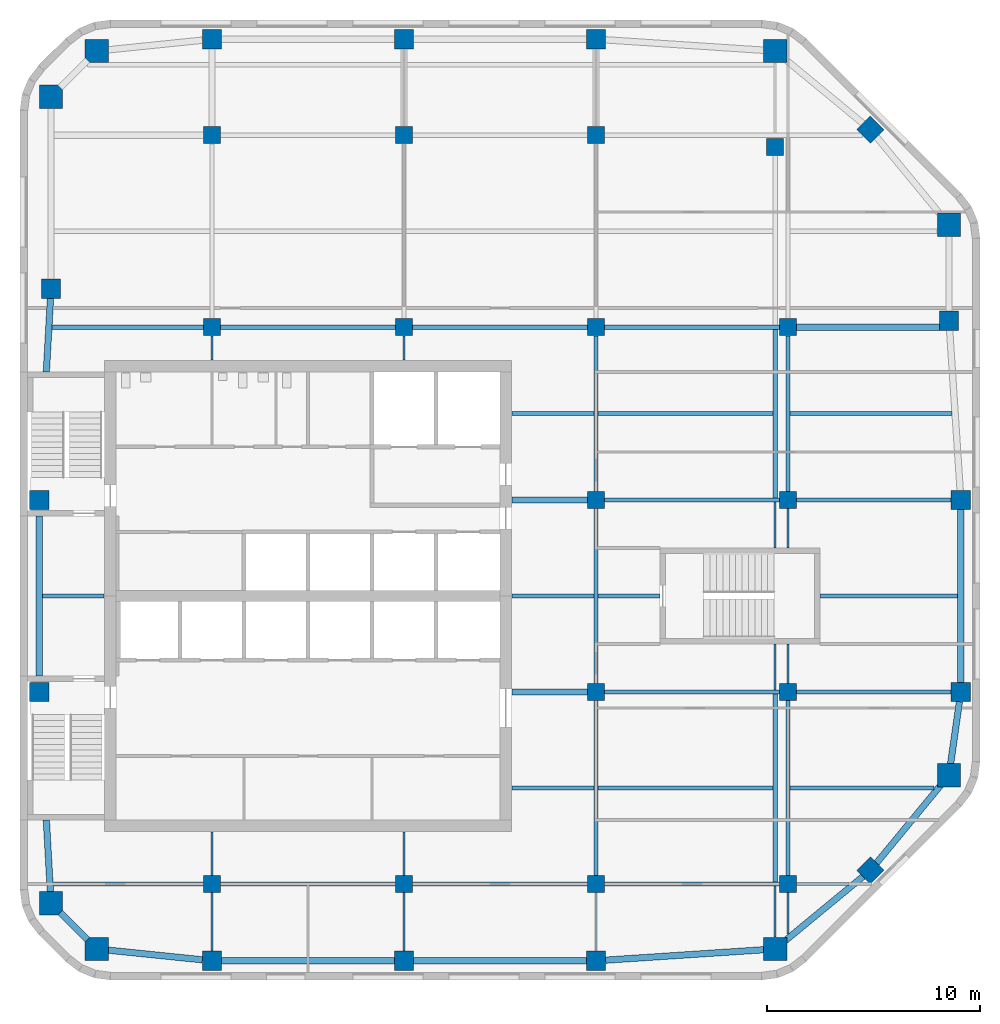
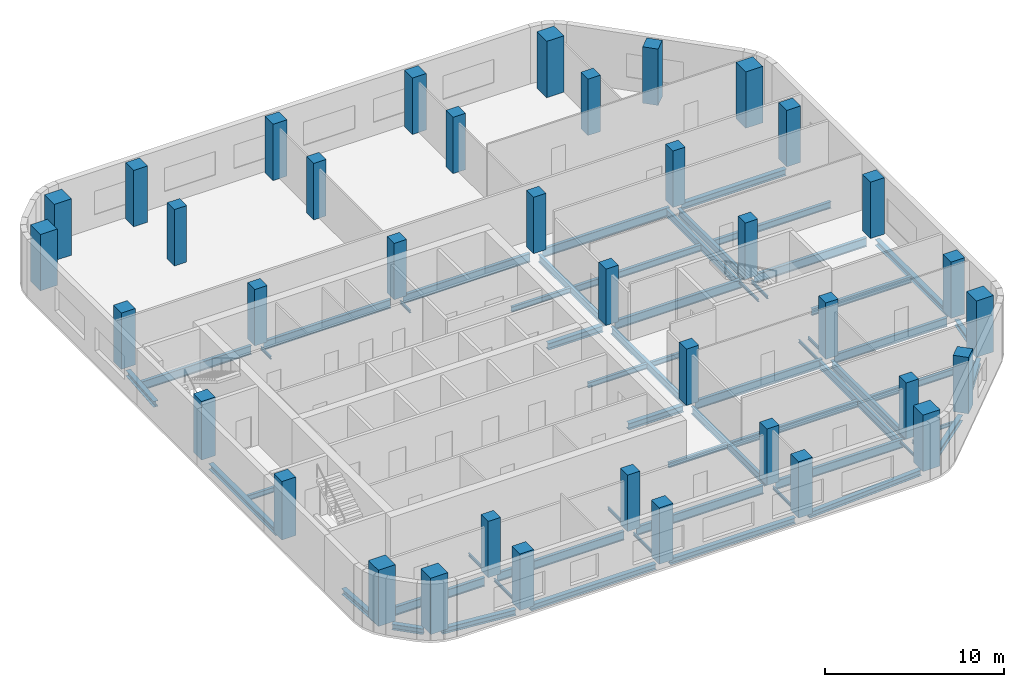
# One storey, part 1 of 8: 58 beams, 38 columns.
"""IFC4 building model written with IfcOpenShell, lengths in metres."""

from ifc_helpers import new_model, si_unit, direction, frame, origin, origin_2d, place, context, subcontext, project, spatial, rectangle, i_section, extrude, material, material_profile, profile_set, type_object, element, save


model = new_model("IFC4")

# Units and contexts
model_context = context("Model", 3, precision=1e-05, world=origin(), true_north=direction((0.0, 1.0)))
body_context = subcontext(model_context, "Body", "Model", "MODEL_VIEW")
ifc_project = project(units=[si_unit("LENGTHUNIT", "METRE"), si_unit("AREAUNIT", "SQUARE_METRE"), si_unit("VOLUMEUNIT", "CUBIC_METRE"), si_unit("PLANEANGLEUNIT", "RADIAN"), si_unit("MASSUNIT", "GRAM", prefix="KILO")], contexts=[model_context])

# Site, building, storey
site_placement = place(None, origin())
site = spatial("IfcSite", under=ifc_project, at=site_placement, CompositionType="ELEMENT")
building_placement = place(site_placement, origin())
building = spatial("IfcBuilding", under=site, at=building_placement, Name="Cinnabar Reach Civic Tower", CompositionType="ELEMENT")
storey_placement = place(building_placement, frame((0.0, 0.0, 226.0)))
storey = spatial("IfcBuildingStorey", under=building, at=storey_placement, Name="L54", CompositionType="ELEMENT", Elevation=226.0)

# Columns
ifc_material_1 = material(Name="Concrete C80", Category="concrete")
ifc_material_profile_1 = material_profile(ifc_material_1, rectangle(XDim=1.1, YDim=1.1, at=origin_2d()), Name="RC1100")
ifc_profile_set_1 = profile_set([ifc_material_profile_1], Name="Concrete C80")
column_type_1 = type_object("IfcColumnType", Name="RC1100 column R 240", PredefinedType="COLUMN", material=ifc_profile_set_1)
for number, where, z_axis, x_axis, name in (
    (1, (3.6019, 14.9531, 0.0), (0.0, 0.0, 1.0), (1.0, 0.0, 0.0), "Column T1-Z4-CC0"),
    (2, (35.3981, 14.9531, 0.0), (0.0, 0.0, 1.0), (1.0, 0.0, 0.0), "Column T1-Z4-CC1"),
    (3, (43.5469, 23.1019, 0.0), (0.0, 0.0, 1.0), (1.0, 0.0, 0.0), "Column T1-Z4-CC2"),
    (4, (43.5469, 48.8981, 0.0), (0.0, 0.0, 1.0), (1.0, 0.0, 0.0), "Column T1-Z4-CC3"),
    (5, (35.3981, 57.0469, 0.0), (0.0, 0.0, 1.0), (1.0, 0.0, 0.0), "Column T1-Z4-CC4"),
    (6, (3.6019, 57.0469, 0.0), (0.0, 0.0, 1.0), (1.0, 0.0, 0.0), "Column T1-Z4-CC5"),
    (7, (1.4531, 54.8981, 0.0), (0.0, 0.0, 1.0), (1.0, 0.0, 0.0), "Column T1-Z4-CC6"),
    (8, (1.4531, 17.1019, 0.0), (0.0, 0.0, 1.0), (1.0, 0.0, 0.0), "Column T1-Z4-CC7"),
):
    element("IfcColumn", number, at=place(storey_placement, frame(where, z_axis=z_axis, x_axis=x_axis)), inside=storey, type_object=column_type_1, Name=name, PredefinedType="COLUMN", context=body_context, shape_type="SweptSolid", body=[
        extrude(rectangle(XDim=1.1, YDim=1.1, at=origin_2d()), origin(), (0.0, 0.0, 1.0), 3.85),
    ])
ifc_material_2 = material(Name="Concrete C60", Category="concrete")
ifc_material_profile_2 = material_profile(ifc_material_2, rectangle(XDim=0.8, YDim=0.8, at=origin_2d()), Name="RC800")
ifc_profile_set_2 = profile_set([ifc_material_profile_2], Name="Concrete C60")
column_type_2 = type_object("IfcColumnType", Name="RC800 column R 240", PredefinedType="COLUMN", material=ifc_profile_set_2)
for number, where, z_axis, x_axis, name in (
    (9, (9.0, 18.0, 0.0), (0.0, 0.0, 1.0), (1.0, 0.0, 0.0), "Column T1-Z4-I9_18"),
    (10, (9.0, 44.1, 0.0), (0.0, 0.0, 1.0), (1.0, 0.0, 0.0), "Column T1-Z4-I9_45"),
    (11, (9.0, 53.1, 0.0), (0.0, 0.0, 1.0), (1.0, 0.0, 0.0), "Column T1-Z4-I9_54"),
    (12, (18.0, 18.0, 0.0), (0.0, 0.0, 1.0), (1.0, 0.0, 0.0), "Column T1-Z4-I18_18"),
    (13, (18.0, 44.1, 0.0), (0.0, 0.0, 1.0), (1.0, 0.0, 0.0), "Column T1-Z4-I18_45"),
    (14, (18.0, 53.1, 0.0), (0.0, 0.0, 1.0), (1.0, 0.0, 0.0), "Column T1-Z4-I18_54"),
    (15, (27.0, 18.0, 0.0), (0.0, 0.0, 1.0), (1.0, 0.0, 0.0), "Column T1-Z4-I27_18"),
    (16, (27.0, 27.0, 0.0), (0.0, 0.0, 1.0), (1.0, 0.0, 0.0), "Column T1-Z4-I27_27"),
    (17, (27.0, 36.0, 0.0), (0.0, 0.0, 1.0), (1.0, 0.0, 0.0), "Column T1-Z4-I27_36"),
    (18, (27.0, 44.1, 0.0), (0.0, 0.0, 1.0), (1.0, 0.0, 0.0), "Column T1-Z4-I27_45"),
    (19, (27.0, 53.1, 0.0), (0.0, 0.0, 1.0), (1.0, 0.0, 0.0), "Column T1-Z4-I27_54"),
    (20, (36.0, 18.0, 0.0), (0.0, 0.0, 1.0), (1.0, 0.0, 0.0), "Column T1-Z4-I36_18"),
    (21, (36.0, 27.0, 0.0), (0.0, 0.0, 1.0), (1.0, 0.0, 0.0), "Column T1-Z4-I36_27"),
    (22, (36.0, 36.0, 0.0), (0.0, 0.0, 1.0), (1.0, 0.0, 0.0), "Column T1-Z4-I36_36"),
    (23, (36.0, 44.1, 0.0), (0.0, 0.0, 1.0), (1.0, 0.0, 0.0), "Column T1-Z4-I36_45"),
    (24, (35.3981, 52.5469, 0.0), (0.0, 0.0, 1.0), (1.0, 0.0, 0.0), "Column T1-Z4-I36_54"),
):
    element("IfcColumn", number, at=place(storey_placement, frame(where, z_axis=z_axis, x_axis=x_axis)), inside=storey, type_object=column_type_2, Name=name, PredefinedType="COLUMN", context=body_context, shape_type="SweptSolid", body=[
        extrude(rectangle(XDim=0.8, YDim=0.8, at=origin_2d()), origin(), (0.0, 0.0, 1.0), 3.85),
    ])
ifc_material_3 = material(Name="Concrete C70", Category="concrete")
ifc_material_profile_3 = material_profile(ifc_material_3, rectangle(XDim=0.9, YDim=0.9, at=origin_2d()), Name="RC900")
ifc_profile_set_3 = profile_set([ifc_material_profile_3], Name="Concrete C70")
column_type_3 = type_object("IfcColumnType", Name="RC900 column R 240", PredefinedType="COLUMN", material=ifc_profile_set_3)
for number, where, z_axis, x_axis, name in (
    (25, (9.0, 14.4, 0.0), (0.0, 0.0, 1.0), (1.0, 0.0, 0.0), "Column T1-Z4-F0-1"),
    (26, (18.0, 14.4, 0.0), (0.0, 0.0, 1.0), (1.0, 0.0, 0.0), "Column T1-Z4-F0-2"),
    (27, (27.0, 14.4, 0.0), (0.0, 0.0, 1.0), (1.0, 0.0, 0.0), "Column T1-Z4-F0-3"),
    (28, (39.8636, 18.6364, 0.0), (0.0, 0.0, 1.0), (0.707106781187, 0.707106781187, 0.0), "Column T1-Z4-F1-M"),
    (29, (44.1, 27.0, 0.0), (0.0, 0.0, 1.0), (1.0, 0.0, 0.0), "Column T1-Z4-F2-3"),
    (30, (44.1, 36.0, 0.0), (0.0, 0.0, 1.0), (1.0, 0.0, 0.0), "Column T1-Z4-F2-4"),
    (31, (43.5469, 44.3981, 0.0), (0.0, 0.0, 1.0), (1.0, 0.0, 0.0), "Column T1-Z4-F2-5"),
    (32, (39.8636, 53.3636, 0.0), (0.0, 0.0, 1.0), (0.707106781187, 0.707106781187, 0.0), "Column T1-Z4-F3-M"),
    (33, (9.0, 57.6, 0.0), (0.0, 0.0, 1.0), (1.0, 0.0, 0.0), "Column T1-Z4-F4-1"),
    (34, (18.0, 57.6, 0.0), (0.0, 0.0, 1.0), (1.0, 0.0, 0.0), "Column T1-Z4-F4-2"),
    (35, (27.0, 57.6, 0.0), (0.0, 0.0, 1.0), (1.0, 0.0, 0.0), "Column T1-Z4-F4-3"),
):
    element("IfcColumn", number, at=place(storey_placement, frame(where, z_axis=z_axis, x_axis=x_axis)), inside=storey, type_object=column_type_3, Name=name, PredefinedType="COLUMN", context=body_context, shape_type="SweptSolid", body=[
        extrude(rectangle(XDim=0.9, YDim=0.9, at=origin_2d()), origin(), (0.0, 0.0, 1.0), 3.85),
    ])
for number, where, z_axis, x_axis, name in (
    (36, (0.9, 27.0, 0.0), (0.0, 0.0, 1.0), (1.0, 0.0, 0.0), "Column T1-Z4-F6-3"),
    (37, (0.9, 36.0, 0.0), (0.0, 0.0, 1.0), (1.0, 0.0, 0.0), "Column T1-Z4-F6-4"),
):
    element("IfcColumn", number, at=place(storey_placement, frame(where, z_axis=z_axis, x_axis=x_axis)), inside=storey, type_object=column_type_3, Name=name, PredefinedType="COLUMN", context=body_context, shape_type="SweptSolid", body=[
        extrude(rectangle(XDim=0.9, YDim=0.9, at=origin_2d()), origin(), (0.0, 0.0, 1.0), 4.0),
    ])
column_placement = place(storey_placement, frame((1.4531, 45.8981, 0.0), z_axis=(0.0, 0.0, 1.0), x_axis=(1.0, 0.0, 0.0)))
element("IfcColumn", 38, at=column_placement, inside=storey, type_object=column_type_3, Name="Column T1-Z4-F6-5", PredefinedType="COLUMN", context=body_context, shape_type="SweptSolid", body=[
    extrude(rectangle(XDim=0.9, YDim=0.9, at=origin_2d()), origin(), (0.0, 0.0, 1.0), 3.85),
])

# Beams
ifc_material_4 = material(Name="Steel Q355B", Category="steel")
ifc_material_profile_4 = material_profile(ifc_material_4, i_section(OverallWidth=0.3, OverallDepth=0.39, WebThickness=0.01, FlangeThickness=0.016, FilletRadius=0.013, at=origin_2d()), Name="HM390x300x10x16")
ifc_profile_set_4 = profile_set([ifc_material_profile_4], Name="Steel Q355B")
beam_type_1 = type_object("IfcBeamType", Name="HM390x300x10x16 beam R 180", PredefinedType="BEAM", material=ifc_profile_set_4)
beam_1_placement = place(storey_placement, frame((4.0339, 14.9088, -0.345), z_axis=(0.994792272495, -0.101923179821, 0.0), x_axis=(0.101923179821, 0.994792272495, 0.0)))
element("IfcBeam", 39, at=beam_1_placement, inside=storey, type_object=beam_type_1, Name="Edge beam T1 L54 1", PredefinedType="BEAM", context=body_context, shape_type="SweptSolid", body=[
    extrude(i_section(OverallWidth=0.3, OverallDepth=0.39, WebThickness=0.01, FlangeThickness=0.016, FilletRadius=0.013, at=origin_2d()), origin(), (0.0, 0.0, 1.0), 4.5377),
])
for number, where, z_axis, x_axis, name in (
    (40, (9.452, 14.4, -0.345), (1.0, 0.0, 0.0), (0.0, 1.0, 0.0), "Edge beam T1 L54 2"),
    (41, (18.452, 14.4, -0.345), (1.0, 0.0, 0.0), (0.0, 1.0, 0.0), "Edge beam T1 L54 3"),
):
    element("IfcBeam", number, at=place(storey_placement, frame(where, z_axis=z_axis, x_axis=x_axis)), inside=storey, type_object=beam_type_1, Name=name, PredefinedType="BEAM", context=body_context, shape_type="SweptSolid", body=[
        extrude(i_section(OverallWidth=0.3, OverallDepth=0.39, WebThickness=0.01, FlangeThickness=0.016, FilletRadius=0.013, at=origin_2d()), origin(), (0.0, 0.0, 1.0), 8.096),
    ])
beam_2_placement = place(storey_placement, frame((27.452, 14.4298, -0.345), z_axis=(0.99783894477, 0.065707231721, 0.0), x_axis=(-0.065707231721, 0.99783894477, 0.0)))
element("IfcBeam", 42, at=beam_2_placement, inside=storey, type_object=beam_type_1, Name="Edge beam T1 L54 4", PredefinedType="BEAM", context=body_context, shape_type="SweptSolid", body=[
    extrude(i_section(OverallWidth=0.3, OverallDepth=0.39, WebThickness=0.01, FlangeThickness=0.016, FilletRadius=0.013, at=origin_2d()), origin(), (0.0, 0.0, 1.0), 7.5304),
])
for number, where, z_axis, x_axis, name in (
    (43, (35.8301, 15.3094, -0.345), (0.771434448755, 0.63630880182, 0.0), (-0.63630880182, 0.771434448755, 0.0), "Edge beam T1 L54 5"),
    (44, (40.1142, 18.9402, -0.345), (0.63630880182, 0.771434448755, 0.0), (-0.771434448755, 0.63630880182, 0.0), "Edge beam T1 L54 6"),
):
    element("IfcBeam", number, at=place(storey_placement, frame(where, z_axis=z_axis, x_axis=x_axis)), inside=storey, type_object=beam_type_1, Name=name, PredefinedType="BEAM", context=body_context, shape_type="SweptSolid", body=[
        extrude(i_section(OverallWidth=0.3, OverallDepth=0.39, WebThickness=0.01, FlangeThickness=0.016, FilletRadius=0.013, at=origin_2d()), origin(), (0.0, 0.0, 1.0), 4.8348),
    ])
beam_3_placement = place(storey_placement, frame((43.6082, 23.5339, -0.345), z_axis=(0.140492342965, 0.990081765092, 0.0), x_axis=(-0.990081765092, 0.140492342965, 0.0)))
element("IfcBeam", 45, at=beam_3_placement, inside=storey, type_object=beam_type_1, Name="Edge beam T1 L54 7", PredefinedType="BEAM", context=body_context, shape_type="SweptSolid", body=[
    extrude(i_section(OverallWidth=0.3, OverallDepth=0.39, WebThickness=0.01, FlangeThickness=0.016, FilletRadius=0.013, at=origin_2d()), origin(), (0.0, 0.0, 1.0), 3.0443),
])
beam_4_placement = place(storey_placement, frame((44.1, 27.452, -0.345), z_axis=(0.0, 1.0, 0.0), x_axis=(-1.0, 0.0, 0.0)))
element("IfcBeam", 46, at=beam_4_placement, inside=storey, type_object=beam_type_1, Name="Edge beam T1 L54 8", PredefinedType="BEAM", context=body_context, shape_type="SweptSolid", body=[
    extrude(i_section(OverallWidth=0.3, OverallDepth=0.39, WebThickness=0.01, FlangeThickness=0.016, FilletRadius=0.013, at=origin_2d()), origin(), (0.0, 0.0, 1.0), 8.096),
])
beam_5_placement = place(storey_placement, frame((1.4278, 45.4461, -0.345), z_axis=(-0.0557766862, -0.998443268932, 0.0), x_axis=(0.998443268932, -0.0557766862, 0.0)))
element("IfcBeam", 47, at=beam_5_placement, inside=storey, type_object=beam_type_1, Name="Edge beam T1 L54 19", PredefinedType="BEAM", context=body_context, shape_type="SweptSolid", body=[
    extrude(i_section(OverallWidth=0.3, OverallDepth=0.39, WebThickness=0.01, FlangeThickness=0.016, FilletRadius=0.013, at=origin_2d()), origin(), (0.0, 0.0, 1.0), 3.4495),
])
beam_6_placement = place(storey_placement, frame((0.9, 35.248, -0.345), z_axis=(0.0, -1.0, 0.0), x_axis=(1.0, 0.0, 0.0)))
element("IfcBeam", 48, at=beam_6_placement, inside=storey, type_object=beam_type_1, Name="Edge beam T1 L54 20", PredefinedType="BEAM", context=body_context, shape_type="SweptSolid", body=[
    extrude(i_section(OverallWidth=0.3, OverallDepth=0.39, WebThickness=0.01, FlangeThickness=0.016, FilletRadius=0.013, at=origin_2d()), origin(), (0.0, 0.0, 1.0), 7.496),
])
beam_7_placement = place(storey_placement, frame((1.2354, 20.998, -0.345), z_axis=(0.05580045603, -0.998441940779, 0.0), x_axis=(0.998441940779, 0.05580045603, 0.0)))
element("IfcBeam", 49, at=beam_7_placement, inside=storey, type_object=beam_type_1, Name="Edge beam T1 L54 21", PredefinedType="BEAM", context=body_context, shape_type="SweptSolid", body=[
    extrude(i_section(OverallWidth=0.3, OverallDepth=0.39, WebThickness=0.01, FlangeThickness=0.016, FilletRadius=0.013, at=origin_2d()), origin(), (0.0, 0.0, 1.0), 3.4695),
])
beam_8_placement = place(storey_placement, frame((1.8851, 16.6699, -0.345), z_axis=(0.707106781187, -0.707106781187, 0.0), x_axis=(0.707106781187, 0.707106781187, 0.0)))
element("IfcBeam", 50, at=beam_8_placement, inside=storey, type_object=beam_type_1, Name="Edge beam T1 L54 22", PredefinedType="BEAM", context=body_context, shape_type="SweptSolid", body=[
    extrude(i_section(OverallWidth=0.3, OverallDepth=0.39, WebThickness=0.01, FlangeThickness=0.016, FilletRadius=0.013, at=origin_2d()), origin(), (0.0, 0.0, 1.0), 1.817),
])
ifc_material_profile_5 = material_profile(ifc_material_4, i_section(OverallWidth=0.3, OverallDepth=0.44, WebThickness=0.011, FlangeThickness=0.018, FilletRadius=0.016, at=origin_2d()), Name="HM440x300x11x18")
ifc_profile_set_5 = profile_set([ifc_material_profile_5], Name="Steel Q355B")
beam_type_2 = type_object("IfcBeamType", Name="HM440x300x11x18 beam R 180", PredefinedType="BEAM", material=ifc_profile_set_5)
for number, where, z_axis, x_axis, name in (
    (51, (23.052, 27.0, -0.37), (1.0, 0.0, 0.0), (0.0, 1.0, 0.0), "Girder T1 L54 6"),
    (52, (23.052, 36.0, -0.37), (1.0, 0.0, 0.0), (0.0, 1.0, 0.0), "Girder T1 L54 9"),
):
    element("IfcBeam", number, at=place(storey_placement, frame(where, z_axis=z_axis, x_axis=x_axis)), inside=storey, type_object=beam_type_2, Name=name, PredefinedType="BEAM", context=body_context, shape_type="SweptSolid", body=[
        extrude(i_section(OverallWidth=0.3, OverallDepth=0.44, WebThickness=0.011, FlangeThickness=0.018, FilletRadius=0.016, at=origin_2d()), origin(), (0.0, 0.0, 1.0), 3.546),
    ])
beam_9_placement = place(storey_placement, frame((36.402, 44.1, -0.37), z_axis=(1.0, 0.0, 0.0), x_axis=(0.0, 1.0, 0.0)))
element("IfcBeam", 53, at=beam_9_placement, inside=storey, type_object=beam_type_2, Name="Girder T1 L54 16", PredefinedType="BEAM", context=body_context, shape_type="SweptSolid", body=[
    extrude(i_section(OverallWidth=0.3, OverallDepth=0.44, WebThickness=0.011, FlangeThickness=0.018, FilletRadius=0.016, at=origin_2d()), origin(), (0.0, 0.0, 1.0), 6.6929),
])
ifc_material_profile_6 = material_profile(ifc_material_4, i_section(OverallWidth=0.099, OverallDepth=0.198, WebThickness=0.0045, FlangeThickness=0.007, FilletRadius=0.013, at=origin_2d()), Name="HN200x100x5.5x8")
ifc_profile_set_6 = profile_set([ifc_material_profile_6], Name="Steel Q355B")
beam_type_3 = type_object("IfcBeamType", Name="HN200x100x5.5x8 beam R 180", PredefinedType="BEAM", material=ifc_profile_set_6)
beam_10_placement = place(storey_placement, frame((9.0, 14.852, -0.249), z_axis=(0.0, 1.0, 0.0), x_axis=(-1.0, 0.0, 0.0)))
element("IfcBeam", 54, at=beam_10_placement, inside=storey, type_object=beam_type_3, Name="Girder T1 L54 1", PredefinedType="BEAM", context=body_context, shape_type="SweptSolid", body=[
    extrude(i_section(OverallWidth=0.099, OverallDepth=0.198, WebThickness=0.0045, FlangeThickness=0.007, FilletRadius=0.013, at=origin_2d()), origin(), (0.0, 0.0, 1.0), 2.746),
])
beam_11_placement = place(storey_placement, frame((9.0, 18.402, -0.249), z_axis=(0.0, 1.0, 0.0), x_axis=(-1.0, 0.0, 0.0)))
element("IfcBeam", 55, at=beam_11_placement, inside=storey, type_object=beam_type_3, Name="Girder T1 L54 2", PredefinedType="BEAM", context=body_context, shape_type="SweptSolid", body=[
    extrude(i_section(OverallWidth=0.099, OverallDepth=0.198, WebThickness=0.0045, FlangeThickness=0.007, FilletRadius=0.013, at=origin_2d()), origin(), (0.0, 0.0, 1.0), 2.046),
])
beam_12_placement = place(storey_placement, frame((9.0, 42.552, -0.249), z_axis=(0.0, 1.0, 0.0), x_axis=(-1.0, 0.0, 0.0)))
element("IfcBeam", 56, at=beam_12_placement, inside=storey, type_object=beam_type_3, Name="Girder T1 L54 3", PredefinedType="BEAM", context=body_context, shape_type="SweptSolid", body=[
    extrude(i_section(OverallWidth=0.099, OverallDepth=0.198, WebThickness=0.0045, FlangeThickness=0.007, FilletRadius=0.013, at=origin_2d()), origin(), (0.0, 0.0, 1.0), 1.146),
])
beam_13_placement = place(storey_placement, frame((18.0, 14.852, -0.249), z_axis=(0.0, 1.0, 0.0), x_axis=(-1.0, 0.0, 0.0)))
element("IfcBeam", 57, at=beam_13_placement, inside=storey, type_object=beam_type_3, Name="Girder T1 L54 6", PredefinedType="BEAM", context=body_context, shape_type="SweptSolid", body=[
    extrude(i_section(OverallWidth=0.099, OverallDepth=0.198, WebThickness=0.0045, FlangeThickness=0.007, FilletRadius=0.013, at=origin_2d()), origin(), (0.0, 0.0, 1.0), 2.746),
])
beam_14_placement = place(storey_placement, frame((18.0, 18.402, -0.249), z_axis=(0.0, 1.0, 0.0), x_axis=(-1.0, 0.0, 0.0)))
element("IfcBeam", 58, at=beam_14_placement, inside=storey, type_object=beam_type_3, Name="Girder T1 L54 7", PredefinedType="BEAM", context=body_context, shape_type="SweptSolid", body=[
    extrude(i_section(OverallWidth=0.099, OverallDepth=0.198, WebThickness=0.0045, FlangeThickness=0.007, FilletRadius=0.013, at=origin_2d()), origin(), (0.0, 0.0, 1.0), 2.046),
])
beam_15_placement = place(storey_placement, frame((18.0, 42.552, -0.249), z_axis=(0.0, 1.0, 0.0), x_axis=(-1.0, 0.0, 0.0)))
element("IfcBeam", 59, at=beam_15_placement, inside=storey, type_object=beam_type_3, Name="Girder T1 L54 8", PredefinedType="BEAM", context=body_context, shape_type="SweptSolid", body=[
    extrude(i_section(OverallWidth=0.099, OverallDepth=0.198, WebThickness=0.0045, FlangeThickness=0.007, FilletRadius=0.013, at=origin_2d()), origin(), (0.0, 0.0, 1.0), 1.146),
])
beam_16_placement = place(storey_placement, frame((27.0, 14.852, -0.249), z_axis=(0.0, 1.0, 0.0), x_axis=(-1.0, 0.0, 0.0)))
element("IfcBeam", 60, at=beam_16_placement, inside=storey, type_object=beam_type_3, Name="Girder T1 L54 11", PredefinedType="BEAM", context=body_context, shape_type="SweptSolid", body=[
    extrude(i_section(OverallWidth=0.099, OverallDepth=0.198, WebThickness=0.0045, FlangeThickness=0.007, FilletRadius=0.013, at=origin_2d()), origin(), (0.0, 0.0, 1.0), 2.746),
])
beam_17_placement = place(storey_placement, frame((35.3981, 15.5051, -0.249), z_axis=(0.0, 1.0, 0.0), x_axis=(-1.0, 0.0, 0.0)))
element("IfcBeam", 61, at=beam_17_placement, inside=storey, type_object=beam_type_3, Name="Girder T1 L54 17", PredefinedType="BEAM", context=body_context, shape_type="SweptSolid", body=[
    extrude(i_section(OverallWidth=0.099, OverallDepth=0.198, WebThickness=0.0045, FlangeThickness=0.007, FilletRadius=0.013, at=origin_2d()), origin(), (0.0, 0.0, 1.0), 2.3934),
])
for number, where, z_axis, x_axis, name in (
    (62, (35.3981, 27.1015, -0.249), (0.0, 1.0, 0.0), (-1.0, 0.0, 0.0), "Girder T1 L54 19"),
    (63, (35.3981, 33.752, -0.249), (0.0, 1.0, 0.0), (-1.0, 0.0, 0.0), "Girder T1 L54 20"),
):
    element("IfcBeam", number, at=place(storey_placement, frame(where, z_axis=z_axis, x_axis=x_axis)), inside=storey, type_object=beam_type_3, Name=name, PredefinedType="BEAM", context=body_context, shape_type="SweptSolid", body=[
        extrude(i_section(OverallWidth=0.099, OverallDepth=0.198, WebThickness=0.0045, FlangeThickness=0.007, FilletRadius=0.013, at=origin_2d()), origin(), (0.0, 0.0, 1.0), 2.1465),
    ])
beam_18_placement = place(storey_placement, frame((36.0, 15.6466, -0.249), z_axis=(0.0, 1.0, 0.0), x_axis=(-1.0, 0.0, 0.0)))
element("IfcBeam", 64, at=beam_18_placement, inside=storey, type_object=beam_type_3, Name="Girder T1 L54 24", PredefinedType="BEAM", context=body_context, shape_type="SweptSolid", body=[
    extrude(i_section(OverallWidth=0.099, OverallDepth=0.198, WebThickness=0.0045, FlangeThickness=0.007, FilletRadius=0.013, at=origin_2d()), origin(), (0.0, 0.0, 1.0), 1.9514),
])
for number, where, z_axis, x_axis, name in (
    (65, (36.0, 27.402, -0.249), (0.0, 1.0, 0.0), (-1.0, 0.0, 0.0), "Girder T1 L54 26"),
    (66, (36.0, 33.752, -0.249), (0.0, 1.0, 0.0), (-1.0, 0.0, 0.0), "Girder T1 L54 27"),
):
    element("IfcBeam", number, at=place(storey_placement, frame(where, z_axis=z_axis, x_axis=x_axis)), inside=storey, type_object=beam_type_3, Name=name, PredefinedType="BEAM", context=body_context, shape_type="SweptSolid", body=[
        extrude(i_section(OverallWidth=0.099, OverallDepth=0.198, WebThickness=0.0045, FlangeThickness=0.007, FilletRadius=0.013, at=origin_2d()), origin(), (0.0, 0.0, 1.0), 1.846),
    ])
ifc_material_profile_7 = material_profile(ifc_material_4, i_section(OverallWidth=0.124, OverallDepth=0.248, WebThickness=0.005, FlangeThickness=0.008, FilletRadius=0.013, at=origin_2d()), Name="HN250x125x6x9")
ifc_profile_set_7 = profile_set([ifc_material_profile_7], Name="Steel Q355B")
beam_type_4 = type_object("IfcBeamType", Name="HN250x125x6x9 beam R 180", PredefinedType="BEAM", material=ifc_profile_set_7)
beam_19_placement = place(storey_placement, frame((36.402, 18.0, -0.274), z_axis=(1.0, 0.0, 0.0), x_axis=(0.0, 1.0, 0.0)))
element("IfcBeam", 67, at=beam_19_placement, inside=storey, type_object=beam_type_4, Name="Girder T1 L54 5", PredefinedType="BEAM", context=body_context, shape_type="SweptSolid", body=[
    extrude(i_section(OverallWidth=0.124, OverallDepth=0.248, WebThickness=0.005, FlangeThickness=0.008, FilletRadius=0.013, at=origin_2d()), origin(), (0.0, 0.0, 1.0), 2.4512),
])
ifc_material_profile_8 = material_profile(ifc_material_4, i_section(OverallWidth=0.174, OverallDepth=0.346, WebThickness=0.006, FlangeThickness=0.009, FilletRadius=0.013, at=origin_2d()), Name="HN346x174x6x9")
ifc_profile_set_8 = profile_set([ifc_material_profile_8], Name="Steel Q355B")
beam_type_5 = type_object("IfcBeamType", Name="HN346x174x6x9 beam R 180", PredefinedType="BEAM", material=ifc_profile_set_8)
beam_20_placement = place(storey_placement, frame((23.052, 22.5, -0.323), z_axis=(1.0, 0.0, 0.0), x_axis=(0.0, 1.0, 0.0)))
element("IfcBeam", 68, at=beam_20_placement, inside=storey, type_object=beam_type_5, Name="Secondary beam T1 L54 1", PredefinedType="BEAM", context=body_context, shape_type="SweptSolid", body=[
    extrude(i_section(OverallWidth=0.174, OverallDepth=0.346, WebThickness=0.006, FlangeThickness=0.009, FilletRadius=0.013, at=origin_2d()), origin(), (0.0, 0.0, 1.0), 3.846),
])
beam_21_placement = place(storey_placement, frame((1.052, 31.5, -0.323), z_axis=(1.0, 0.0, 0.0), x_axis=(0.0, 1.0, 0.0)))
element("IfcBeam", 69, at=beam_21_placement, inside=storey, type_object=beam_type_5, Name="Secondary beam T1 L54 4", PredefinedType="BEAM", context=body_context, shape_type="SweptSolid", body=[
    extrude(i_section(OverallWidth=0.174, OverallDepth=0.346, WebThickness=0.006, FlangeThickness=0.009, FilletRadius=0.013, at=origin_2d()), origin(), (0.0, 0.0, 1.0), 2.896),
])
beam_22_placement = place(storey_placement, frame((23.052, 31.5, -0.323), z_axis=(1.0, 0.0, 0.0), x_axis=(0.0, 1.0, 0.0)))
element("IfcBeam", 70, at=beam_22_placement, inside=storey, type_object=beam_type_5, Name="Secondary beam T1 L54 5", PredefinedType="BEAM", context=body_context, shape_type="SweptSolid", body=[
    extrude(i_section(OverallWidth=0.174, OverallDepth=0.346, WebThickness=0.006, FlangeThickness=0.009, FilletRadius=0.013, at=origin_2d()), origin(), (0.0, 0.0, 1.0), 3.846),
])
beam_23_placement = place(storey_placement, frame((27.102, 31.5, -0.323), z_axis=(1.0, 0.0, 0.0), x_axis=(0.0, 1.0, 0.0)))
element("IfcBeam", 71, at=beam_23_placement, inside=storey, type_object=beam_type_5, Name="Secondary beam T1 L54 6", PredefinedType="BEAM", context=body_context, shape_type="SweptSolid", body=[
    extrude(i_section(OverallWidth=0.174, OverallDepth=0.346, WebThickness=0.006, FlangeThickness=0.009, FilletRadius=0.013, at=origin_2d()), origin(), (0.0, 0.0, 1.0), 2.896),
])
beam_24_placement = place(storey_placement, frame((23.052, 40.05, -0.323), z_axis=(1.0, 0.0, 0.0), x_axis=(0.0, 1.0, 0.0)))
element("IfcBeam", 72, at=beam_24_placement, inside=storey, type_object=beam_type_5, Name="Secondary beam T1 L54 8", PredefinedType="BEAM", context=body_context, shape_type="SweptSolid", body=[
    extrude(i_section(OverallWidth=0.174, OverallDepth=0.346, WebThickness=0.006, FlangeThickness=0.009, FilletRadius=0.013, at=origin_2d()), origin(), (0.0, 0.0, 1.0), 3.846),
])
ifc_material_profile_9 = material_profile(ifc_material_4, i_section(OverallWidth=0.199, OverallDepth=0.446, WebThickness=0.008, FlangeThickness=0.012, FilletRadius=0.016, at=origin_2d()), Name="HN446x199x8x12")
ifc_profile_set_9 = profile_set([ifc_material_profile_9], Name="Steel Q355B")
beam_type_6 = type_object("IfcBeamType", Name="HN446x199x8x12 beam R 180", PredefinedType="BEAM", material=ifc_profile_set_9)
beam_25_placement = place(storey_placement, frame((27.102, 22.5, -0.373), z_axis=(1.0, 0.0, 0.0), x_axis=(0.0, 1.0, 0.0)))
element("IfcBeam", 73, at=beam_25_placement, inside=storey, type_object=beam_type_6, Name="Secondary beam T1 L54 2", PredefinedType="BEAM", context=body_context, shape_type="SweptSolid", body=[
    extrude(i_section(OverallWidth=0.199, OverallDepth=0.446, WebThickness=0.008, FlangeThickness=0.012, FilletRadius=0.016, at=origin_2d()), origin(), (0.0, 0.0, 1.0), 8.1941),
])
beam_26_placement = place(storey_placement, frame((36.102, 22.5, -0.373), z_axis=(1.0, 0.0, 0.0), x_axis=(0.0, 1.0, 0.0)))
element("IfcBeam", 74, at=beam_26_placement, inside=storey, type_object=beam_type_6, Name="Secondary beam T1 L54 3", PredefinedType="BEAM", context=body_context, shape_type="SweptSolid", body=[
    extrude(i_section(OverallWidth=0.199, OverallDepth=0.446, WebThickness=0.008, FlangeThickness=0.012, FilletRadius=0.016, at=origin_2d()), origin(), (0.0, 0.0, 1.0), 6.7514),
])
beam_27_placement = place(storey_placement, frame((37.502, 31.5, -0.373), z_axis=(1.0, 0.0, 0.0), x_axis=(0.0, 1.0, 0.0)))
element("IfcBeam", 75, at=beam_27_placement, inside=storey, type_object=beam_type_6, Name="Secondary beam T1 L54 7", PredefinedType="BEAM", context=body_context, shape_type="SweptSolid", body=[
    extrude(i_section(OverallWidth=0.199, OverallDepth=0.446, WebThickness=0.008, FlangeThickness=0.012, FilletRadius=0.016, at=origin_2d()), origin(), (0.0, 0.0, 1.0), 6.446),
])
beam_28_placement = place(storey_placement, frame((27.102, 40.05, -0.373), z_axis=(1.0, 0.0, 0.0), x_axis=(0.0, 1.0, 0.0)))
element("IfcBeam", 76, at=beam_28_placement, inside=storey, type_object=beam_type_6, Name="Secondary beam T1 L54 9", PredefinedType="BEAM", context=body_context, shape_type="SweptSolid", body=[
    extrude(i_section(OverallWidth=0.199, OverallDepth=0.446, WebThickness=0.008, FlangeThickness=0.012, FilletRadius=0.016, at=origin_2d()), origin(), (0.0, 0.0, 1.0), 8.1941),
])
beam_29_placement = place(storey_placement, frame((36.102, 40.05, -0.373), z_axis=(1.0, 0.0, 0.0), x_axis=(0.0, 1.0, 0.0)))
element("IfcBeam", 77, at=beam_29_placement, inside=storey, type_object=beam_type_6, Name="Secondary beam T1 L54 10", PredefinedType="BEAM", context=body_context, shape_type="SweptSolid", body=[
    extrude(i_section(OverallWidth=0.199, OverallDepth=0.446, WebThickness=0.008, FlangeThickness=0.012, FilletRadius=0.016, at=origin_2d()), origin(), (0.0, 0.0, 1.0), 7.5789),
])
ifc_material_profile_10 = material_profile(ifc_material_4, i_section(OverallWidth=0.2, OverallDepth=0.5, WebThickness=0.01, FlangeThickness=0.016, FilletRadius=0.016, at=origin_2d()), Name="HN500x200x10x16")
ifc_profile_set_10 = profile_set([ifc_material_profile_10], Name="Steel Q355B")
beam_type_7 = type_object("IfcBeamType", Name="HN500x200x10x16 beam R 180", PredefinedType="BEAM", material=ifc_profile_set_10)
for number, where, z_axis, x_axis, name in (
    (78, (27.0, 18.402, -0.4), (0.0, 1.0, 0.0), (-1.0, 0.0, 0.0), "Girder T1 L54 12"),
    (79, (27.0, 27.402, -0.4), (0.0, 1.0, 0.0), (-1.0, 0.0, 0.0), "Girder T1 L54 13"),
):
    element("IfcBeam", number, at=place(storey_placement, frame(where, z_axis=z_axis, x_axis=x_axis)), inside=storey, type_object=beam_type_7, Name=name, PredefinedType="BEAM", context=body_context, shape_type="SweptSolid", body=[
        extrude(i_section(OverallWidth=0.2, OverallDepth=0.5, WebThickness=0.01, FlangeThickness=0.016, FilletRadius=0.016, at=origin_2d()), origin(), (0.0, 0.0, 1.0), 8.196),
    ])
beam_30_placement = place(storey_placement, frame((27.0, 36.402, -0.4), z_axis=(0.0, 1.0, 0.0), x_axis=(-1.0, 0.0, 0.0)))
element("IfcBeam", 80, at=beam_30_placement, inside=storey, type_object=beam_type_7, Name="Girder T1 L54 14", PredefinedType="BEAM", context=body_context, shape_type="SweptSolid", body=[
    extrude(i_section(OverallWidth=0.2, OverallDepth=0.5, WebThickness=0.01, FlangeThickness=0.016, FilletRadius=0.016, at=origin_2d()), origin(), (0.0, 0.0, 1.0), 7.296),
])
beam_31_placement = place(storey_placement, frame((35.3981, 18.1015, -0.4), z_axis=(0.0, 1.0, 0.0), x_axis=(-1.0, 0.0, 0.0)))
element("IfcBeam", 81, at=beam_31_placement, inside=storey, type_object=beam_type_7, Name="Girder T1 L54 18", PredefinedType="BEAM", context=body_context, shape_type="SweptSolid", body=[
    extrude(i_section(OverallWidth=0.2, OverallDepth=0.5, WebThickness=0.01, FlangeThickness=0.016, FilletRadius=0.016, at=origin_2d()), origin(), (0.0, 0.0, 1.0), 8.797),
])
beam_32_placement = place(storey_placement, frame((35.3981, 36.1015, -0.4), z_axis=(0.0, 1.0, 0.0), x_axis=(-1.0, 0.0, 0.0)))
element("IfcBeam", 82, at=beam_32_placement, inside=storey, type_object=beam_type_7, Name="Girder T1 L54 21", PredefinedType="BEAM", context=body_context, shape_type="SweptSolid", body=[
    extrude(i_section(OverallWidth=0.2, OverallDepth=0.5, WebThickness=0.01, FlangeThickness=0.016, FilletRadius=0.016, at=origin_2d()), origin(), (0.0, 0.0, 1.0), 7.897),
])
beam_33_placement = place(storey_placement, frame((36.0, 18.402, -0.4), z_axis=(0.0, 1.0, 0.0), x_axis=(-1.0, 0.0, 0.0)))
element("IfcBeam", 83, at=beam_33_placement, inside=storey, type_object=beam_type_7, Name="Girder T1 L54 25", PredefinedType="BEAM", context=body_context, shape_type="SweptSolid", body=[
    extrude(i_section(OverallWidth=0.2, OverallDepth=0.5, WebThickness=0.01, FlangeThickness=0.016, FilletRadius=0.016, at=origin_2d()), origin(), (0.0, 0.0, 1.0), 8.196),
])
beam_34_placement = place(storey_placement, frame((36.0, 36.402, -0.4), z_axis=(0.0, 1.0, 0.0), x_axis=(-1.0, 0.0, 0.0)))
element("IfcBeam", 84, at=beam_34_placement, inside=storey, type_object=beam_type_7, Name="Girder T1 L54 28", PredefinedType="BEAM", context=body_context, shape_type="SweptSolid", body=[
    extrude(i_section(OverallWidth=0.2, OverallDepth=0.5, WebThickness=0.01, FlangeThickness=0.016, FilletRadius=0.016, at=origin_2d()), origin(), (0.0, 0.0, 1.0), 7.296),
])
ifc_material_profile_11 = material_profile(ifc_material_4, i_section(OverallWidth=0.199, OverallDepth=0.596, WebThickness=0.01, FlangeThickness=0.015, FilletRadius=0.016, at=origin_2d()), Name="HN596x199x10x15")
ifc_profile_set_11 = profile_set([ifc_material_profile_11], Name="Steel Q355B")
beam_type_8 = type_object("IfcBeamType", Name="HN596x199x10x15 beam R 180", PredefinedType="BEAM", material=ifc_profile_set_11)
beam_35_placement = place(storey_placement, frame((1.5552, 18.0, -0.448), z_axis=(1.0, 0.0, 0.0), x_axis=(0.0, 1.0, 0.0)))
element("IfcBeam", 85, at=beam_35_placement, inside=storey, type_object=beam_type_8, Name="Girder T1 L54 1", PredefinedType="BEAM", context=body_context, shape_type="SweptSolid", body=[
    extrude(i_section(OverallWidth=0.199, OverallDepth=0.596, WebThickness=0.01, FlangeThickness=0.015, FilletRadius=0.016, at=origin_2d()), origin(), (0.0, 0.0, 1.0), 7.0428),
])
for number, where, z_axis, x_axis, name in (
    (86, (9.402, 18.0, -0.448), (1.0, 0.0, 0.0), (0.0, 1.0, 0.0), "Girder T1 L54 2"),
    (87, (18.402, 18.0, -0.448), (1.0, 0.0, 0.0), (0.0, 1.0, 0.0), "Girder T1 L54 3"),
    (88, (27.402, 18.0, -0.448), (1.0, 0.0, 0.0), (0.0, 1.0, 0.0), "Girder T1 L54 4"),
    (89, (27.402, 27.0, -0.448), (1.0, 0.0, 0.0), (0.0, 1.0, 0.0), "Girder T1 L54 7"),
):
    element("IfcBeam", number, at=place(storey_placement, frame(where, z_axis=z_axis, x_axis=x_axis)), inside=storey, type_object=beam_type_8, Name=name, PredefinedType="BEAM", context=body_context, shape_type="SweptSolid", body=[
        extrude(i_section(OverallWidth=0.199, OverallDepth=0.596, WebThickness=0.01, FlangeThickness=0.015, FilletRadius=0.016, at=origin_2d()), origin(), (0.0, 0.0, 1.0), 8.196),
    ])
beam_36_placement = place(storey_placement, frame((36.402, 27.0, -0.448), z_axis=(1.0, 0.0, 0.0), x_axis=(0.0, 1.0, 0.0)))
element("IfcBeam", 90, at=beam_36_placement, inside=storey, type_object=beam_type_8, Name="Girder T1 L54 8", PredefinedType="BEAM", context=body_context, shape_type="SweptSolid", body=[
    extrude(i_section(OverallWidth=0.199, OverallDepth=0.596, WebThickness=0.01, FlangeThickness=0.015, FilletRadius=0.016, at=origin_2d()), origin(), (0.0, 0.0, 1.0), 7.246),
])
beam_37_placement = place(storey_placement, frame((27.402, 36.0, -0.448), z_axis=(1.0, 0.0, 0.0), x_axis=(0.0, 1.0, 0.0)))
element("IfcBeam", 91, at=beam_37_placement, inside=storey, type_object=beam_type_8, Name="Girder T1 L54 10", PredefinedType="BEAM", context=body_context, shape_type="SweptSolid", body=[
    extrude(i_section(OverallWidth=0.199, OverallDepth=0.596, WebThickness=0.01, FlangeThickness=0.015, FilletRadius=0.016, at=origin_2d()), origin(), (0.0, 0.0, 1.0), 8.196),
])
beam_38_placement = place(storey_placement, frame((36.402, 36.0, -0.448), z_axis=(1.0, 0.0, 0.0), x_axis=(0.0, 1.0, 0.0)))
element("IfcBeam", 92, at=beam_38_placement, inside=storey, type_object=beam_type_8, Name="Girder T1 L54 11", PredefinedType="BEAM", context=body_context, shape_type="SweptSolid", body=[
    extrude(i_section(OverallWidth=0.199, OverallDepth=0.596, WebThickness=0.01, FlangeThickness=0.015, FilletRadius=0.016, at=origin_2d()), origin(), (0.0, 0.0, 1.0), 7.246),
])
beam_39_placement = place(storey_placement, frame((1.5049, 44.1, -0.448), z_axis=(1.0, 0.0, 0.0), x_axis=(0.0, 1.0, 0.0)))
element("IfcBeam", 93, at=beam_39_placement, inside=storey, type_object=beam_type_8, Name="Girder T1 L54 12", PredefinedType="BEAM", context=body_context, shape_type="SweptSolid", body=[
    extrude(i_section(OverallWidth=0.199, OverallDepth=0.596, WebThickness=0.01, FlangeThickness=0.015, FilletRadius=0.016, at=origin_2d()), origin(), (0.0, 0.0, 1.0), 7.0931),
])
for number, where, z_axis, x_axis, name in (
    (94, (9.402, 44.1, -0.448), (1.0, 0.0, 0.0), (0.0, 1.0, 0.0), "Girder T1 L54 13"),
    (95, (18.402, 44.1, -0.448), (1.0, 0.0, 0.0), (0.0, 1.0, 0.0), "Girder T1 L54 14"),
    (96, (27.402, 44.1, -0.448), (1.0, 0.0, 0.0), (0.0, 1.0, 0.0), "Girder T1 L54 15"),
):
    element("IfcBeam", number, at=place(storey_placement, frame(where, z_axis=z_axis, x_axis=x_axis)), inside=storey, type_object=beam_type_8, Name=name, PredefinedType="BEAM", context=body_context, shape_type="SweptSolid", body=[
        extrude(i_section(OverallWidth=0.199, OverallDepth=0.596, WebThickness=0.01, FlangeThickness=0.015, FilletRadius=0.016, at=origin_2d()), origin(), (0.0, 0.0, 1.0), 8.196),
    ])

save(model, "model.ifc")
